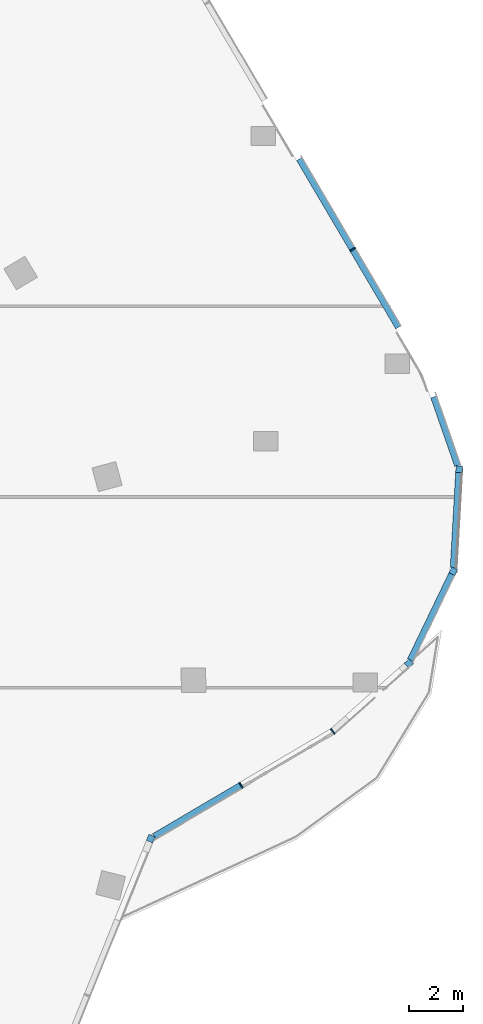
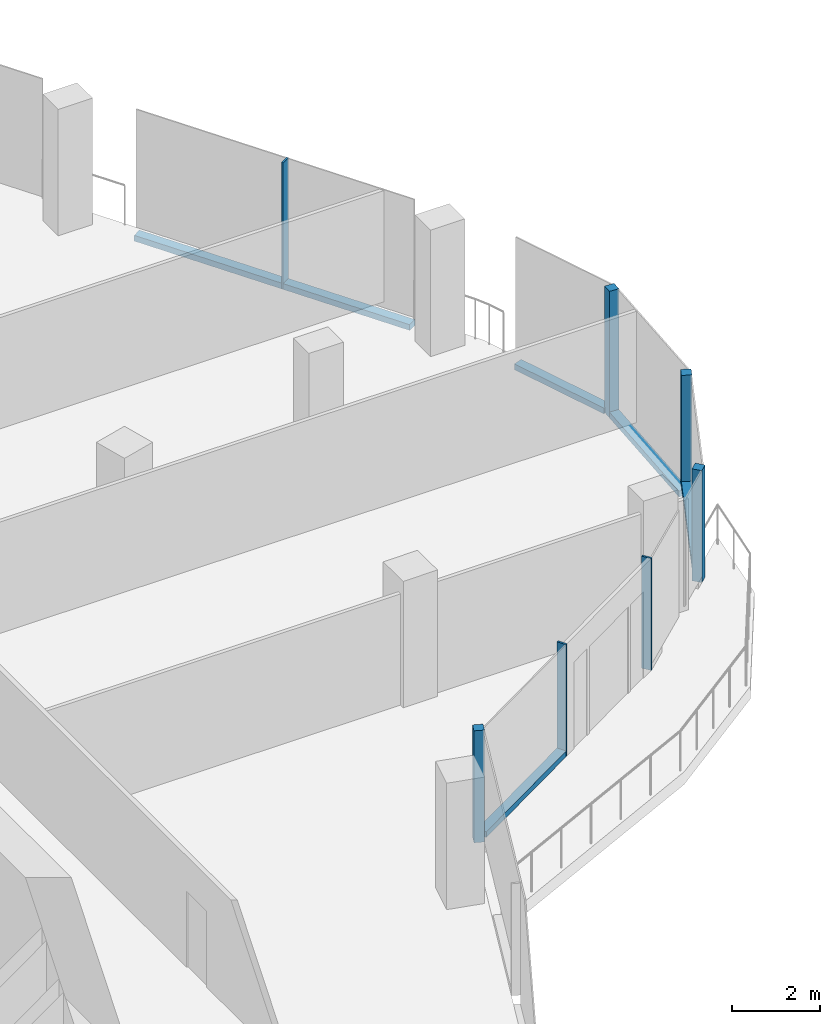
# One storey, part 7 of 26: 12 members, 7 elements without a shape of their own.
"""IFC4 building model written with IfcOpenShell, lengths in metres."""

from ifc_helpers import new_model, si_unit, direction, frame, origin, origin_2d, place, context, subcontext, project, spatial, rectangle, extrude, material, material_profile, profile_set, type_object, element, aggregate, save


model = new_model("IFC4")

# Units and contexts
model_context = context("Model", 3, precision=1e-05, world=origin(), true_north=direction((0.0, 1.0)))
body_context = subcontext(model_context, "Body", "Model", "MODEL_VIEW")
ifc_project = project(units=[si_unit("LENGTHUNIT", "METRE"), si_unit("AREAUNIT", "SQUARE_METRE"), si_unit("VOLUMEUNIT", "CUBIC_METRE"), si_unit("PLANEANGLEUNIT", "RADIAN"), si_unit("MASSUNIT", "GRAM", prefix="KILO")], contexts=[model_context])

# Site, building, storey
site_placement = place(None, origin())
site = spatial("IfcSite", under=ifc_project, at=site_placement, CompositionType="ELEMENT")
building_placement = place(site_placement, origin())
building = spatial("IfcBuilding", under=site, at=building_placement, Name="Orlundy Tower", CompositionType="ELEMENT")
storey_placement = place(building_placement, frame((0.0, 0.0, 275.39990234375)))
storey = spatial("IfcBuildingStorey", under=building, at=storey_placement, Name="L73", CompositionType="ELEMENT", Elevation=275.39990234375)

# Curtain wall, member
ifc_material_1 = material(Name="Aluminium bronze anodised", Category="aluminium")
curtain_wall_type = type_object("IfcCurtainWallType", Name="CW6 wall", PredefinedType="NOTDEFINED", material=ifc_material_1)
curtain_wall_1_placement = place(storey_placement, origin())
curtain_wall_1 = element("IfcCurtainWall", 1, at=curtain_wall_1_placement, inside=storey, type_object=curtain_wall_type, Name="CW6 run 01", PredefinedType="NOTDEFINED")
ifc_material_2 = material(Name="Aluminium bronze anodised", Category="aluminium")
ifc_material_profile_1 = material_profile(ifc_material_2, rectangle(XDim=0.239990234375, YDim=0.239990234375, at=origin_2d()), Name="CW6 corner post 240x240")
ifc_profile_set_1 = profile_set([ifc_material_profile_1], Name="Aluminium bronze anodised")
member_type_1 = type_object("IfcMemberType", Name="CW6 corner post 240x240", PredefinedType="MULLION", material=ifc_profile_set_1)
member_1_placement = place(storey_placement, frame((30.25, -5.53271484375, 0.0), z_axis=(0.0, 0.0, 1.0), x_axis=(0.927195304229, -0.37457825326, 0.0)))
member_1 = element("IfcMember", 2, at=member_1_placement, type_object=member_type_1, Name="CW6 mullion 3", PredefinedType="MULLION", context=body_context, shape_type="SweptSolid", body=[
    extrude(rectangle(XDim=0.239990234375, YDim=0.239990234375, at=origin_2d()), origin(), (0.0, 0.0, 1.0), 3.10009765625),
])
aggregate(curtain_wall_1, [member_1])

curtain_wall_2_placement = place(storey_placement, origin())
curtain_wall_2 = element("IfcCurtainWall", 3, at=curtain_wall_2_placement, inside=storey, type_object=curtain_wall_type, Name="CW6 run 025", PredefinedType="NOTDEFINED")
member_2_placement = place(storey_placement, frame((41.568115234375, 8.026123046875, -0.39990234375), z_axis=(0.0, 0.0, 1.0), x_axis=(0.998394082315, -0.056650299193, 0.0)))
member_2 = element("IfcMember", 4, at=member_2_placement, type_object=member_type_1, Name="CW6 mullion 50", PredefinedType="MULLION", context=body_context, shape_type="SweptSolid", body=[
    extrude(rectangle(XDim=0.239990234375, YDim=0.239990234375, at=origin_2d()), origin(), (0.0, 0.0, 1.0), 3.5),
])

curtain_wall_3_placement = place(storey_placement, origin())
curtain_wall_3 = element("IfcCurtainWall", 5, at=curtain_wall_3_placement, inside=storey, type_object=curtain_wall_type, Name="CW6 run 026", PredefinedType="NOTDEFINED")
member_3_placement = place(storey_placement, frame((41.35546875, 4.27734375, 0.0), z_axis=(0.0, 0.0, 1.0), x_axis=(0.900755489188, -0.434326546158, 0.0)))
member_3 = element("IfcMember", 6, at=member_3_placement, type_object=member_type_1, Name="CW6 mullion 51", PredefinedType="MULLION", context=body_context, shape_type="SweptSolid", body=[
    extrude(rectangle(XDim=0.239990234375, YDim=0.239990234375, at=origin_2d()), origin(), (0.0, 0.0, 1.0), 3.10009765625),
])

curtain_wall_4_placement = place(storey_placement, origin())
curtain_wall_4 = element("IfcCurtainWall", 7, at=curtain_wall_4_placement, inside=storey, type_object=curtain_wall_type, Name="CW6 run 027", PredefinedType="NOTDEFINED")
member_4_placement = place(storey_placement, frame((39.724609375, 0.895263671875, 0.0), z_axis=(0.0, 0.0, 1.0), x_axis=(0.665769138425, -0.746157794518, 0.0)))
member_4 = element("IfcMember", 8, at=member_4_placement, type_object=member_type_1, Name="CW6 mullion 52", PredefinedType="MULLION", context=body_context, shape_type="SweptSolid", body=[
    extrude(rectangle(XDim=0.239990234375, YDim=0.239990234375, at=origin_2d()), origin(), (0.0, 0.0, 1.0), 3.10009765625),
])
aggregate(curtain_wall_4, [member_4])

# Curtain wall, members
curtain_wall_5_placement = place(storey_placement, origin())
curtain_wall_5 = element("IfcCurtainWall", 9, at=curtain_wall_5_placement, inside=storey, type_object=curtain_wall_type, Name="CW6 run 00", PredefinedType="NOTDEFINED")
ifc_material_3 = material(Name="Aluminium bronze anodised", Category="aluminium")
ifc_material_profile_2 = material_profile(ifc_material_3, rectangle(XDim=0.239990234375, YDim=0.050048828125, at=origin_2d()), Name="CW6 mullion 50x240")
ifc_profile_set_2 = profile_set([ifc_material_profile_2], Name="Aluminium bronze anodised")
member_type_2 = type_object("IfcMemberType", Name="CW6 mullion 50x240", PredefinedType="MULLION", material=ifc_profile_set_2)
member_5_placement = place(storey_placement, frame((36.93212890625, -1.596435546875, 0.0), z_axis=(0.0, 0.0, 1.0), x_axis=(0.58950023819, -0.807768202626, 0.0)))
member_5 = element("IfcMember", 10, at=member_5_placement, type_object=member_type_2, Name="CW6 mullion 1", PredefinedType="MULLION", context=body_context, shape_type="SweptSolid", body=[
    extrude(rectangle(XDim=0.239990234375, YDim=0.050048828125, at=origin_2d()), origin(), (0.0, 0.0, 1.0), 3.10009765625),
])
member_6_placement = place(storey_placement, frame((33.568359375, -3.577880859375, 0.0), z_axis=(0.0, 0.0, 1.0), x_axis=(0.507564597416, -0.861613706628, 0.0)))
member_6 = element("IfcMember", 11, at=member_6_placement, type_object=member_type_2, Name="CW6 mullion 2", PredefinedType="MULLION", context=body_context, shape_type="SweptSolid", body=[
    extrude(rectangle(XDim=0.239990234375, YDim=0.050048828125, at=origin_2d()), origin(), (0.0, 0.0, 1.0), 3.10009765625),
])

# Curtain wall, member
curtain_wall_6_placement = place(storey_placement, origin())
curtain_wall_6 = element("IfcCurtainWall", 12, at=curtain_wall_6_placement, inside=storey, type_object=curtain_wall_type, Name="CW6 run 023", PredefinedType="NOTDEFINED")
member_7_placement = place(storey_placement, frame((37.663818359375, 16.09228515625, -0.39990234375), z_axis=(0.0, 0.0, 1.0), x_axis=(0.861632919827, 0.507531980737, 0.0)))
member_7 = element("IfcMember", 13, at=member_7_placement, type_object=member_type_2, Name="CW6 mullion 48", PredefinedType="MULLION", context=body_context, shape_type="SweptSolid", body=[
    extrude(rectangle(XDim=0.239990234375, YDim=0.050048828125, at=origin_2d()), origin(), (0.0, 0.0, 1.0), 3.5),
])

# Member
ifc_material_4 = material(Name="Aluminium bronze anodised", Category="aluminium")
ifc_material_profile_3 = material_profile(ifc_material_4, rectangle(XDim=0.239990234375, YDim=0.159912109375, at=origin_2d()), Name="CW6 transom 240x160")
ifc_profile_set_3 = profile_set([ifc_material_profile_3], Name="Aluminium bronze anodised")
member_type_3 = type_object("IfcMemberType", Name="CW6 transom 240x160", PredefinedType="USERDEFINED", material=ifc_profile_set_3)
member_8_placement = place(storey_placement, frame((33.546875, -3.590576171875, 0.080078125), z_axis=(-0.861597605941, -0.507591928065, 0.0), x_axis=(0.507591928065, -0.861597605941, 0.0)))
member_8 = element("IfcMember", 14, at=member_8_placement, type_object=member_type_3, Name="CW6 transom", ObjectType="TRANSOM", PredefinedType="USERDEFINED", context=body_context, shape_type="SweptSolid", body=[
    extrude(rectangle(XDim=0.239990234375, YDim=0.159912109375, at=origin_2d()), origin(), (0.0, 0.0, 1.0), 3.675048828125),
])

aggregate(curtain_wall_5, [member_5, member_6, member_8])

member_9_placement = place(storey_placement, frame((35.706298828125, 19.415771484375, -0.31982421875), z_axis=(0.507525476659, -0.861636750923, 0.0), x_axis=(0.861636750923, 0.507525476659, 0.0)))
member_9 = element("IfcMember", 15, at=member_9_placement, type_object=member_type_3, Name="CW6 transom", ObjectType="TRANSOM", PredefinedType="USERDEFINED", context=body_context, shape_type="SweptSolid", body=[
    extrude(rectangle(XDim=0.239990234375, YDim=0.159912109375, at=origin_2d()), origin(), (0.0, 0.0, 1.0), 7.17724609375),
])

aggregate(curtain_wall_6, [member_7, member_9])

# Curtain wall, member
curtain_wall_7_placement = place(storey_placement, origin())
curtain_wall_7 = element("IfcCurtainWall", 16, at=curtain_wall_7_placement, inside=storey, type_object=curtain_wall_type, Name="CW6 run 024", PredefinedType="NOTDEFINED")
member_10_placement = place(storey_placement, frame((40.640625, 10.681640625, -0.31982421875), z_axis=(0.329762648184, -0.944063872766, 0.0), x_axis=(0.944063872766, 0.329762648184, 0.0)))
member_10 = element("IfcMember", 17, at=member_10_placement, type_object=member_type_3, Name="CW6 transom", ObjectType="TRANSOM", PredefinedType="USERDEFINED", context=body_context, shape_type="SweptSolid", body=[
    extrude(rectangle(XDim=0.239990234375, YDim=0.159912109375, at=origin_2d()), origin(), (0.0, 0.0, 1.0), 2.68310546875),
])
aggregate(curtain_wall_7, [member_10])

# Member
member_11_placement = place(storey_placement, frame((41.561279296875, 7.90625, -0.31982421875), z_axis=(-0.056631219489, -0.998395164741, 0.0), x_axis=(0.998395164741, -0.056631219489, 0.0)))
member_11 = element("IfcMember", 18, at=member_11_placement, type_object=member_type_3, Name="CW6 transom", ObjectType="TRANSOM", PredefinedType="USERDEFINED", context=body_context, shape_type="SweptSolid", body=[
    extrude(rectangle(XDim=0.239990234375, YDim=0.159912109375, at=origin_2d()), origin(), (0.0, 0.0, 1.0), 3.5048828125),
])

aggregate(curtain_wall_2, [member_2, member_11])

member_12_placement = place(storey_placement, frame((41.30322265625, 4.169189453125, 0.080078125), z_axis=(-0.43429312937, -0.900771601341, 0.0), x_axis=(0.900771601341, -0.43429312937, 0.0)))
member_12 = element("IfcMember", 19, at=member_12_placement, type_object=member_type_3, Name="CW6 transom", ObjectType="TRANSOM", PredefinedType="USERDEFINED", context=body_context, shape_type="SweptSolid", body=[
    extrude(rectangle(XDim=0.239990234375, YDim=0.159912109375, at=origin_2d()), origin(), (0.0, 0.0, 1.0), 3.50439453125),
])

aggregate(curtain_wall_3, [member_3, member_12])

save(model, "model.ifc")
